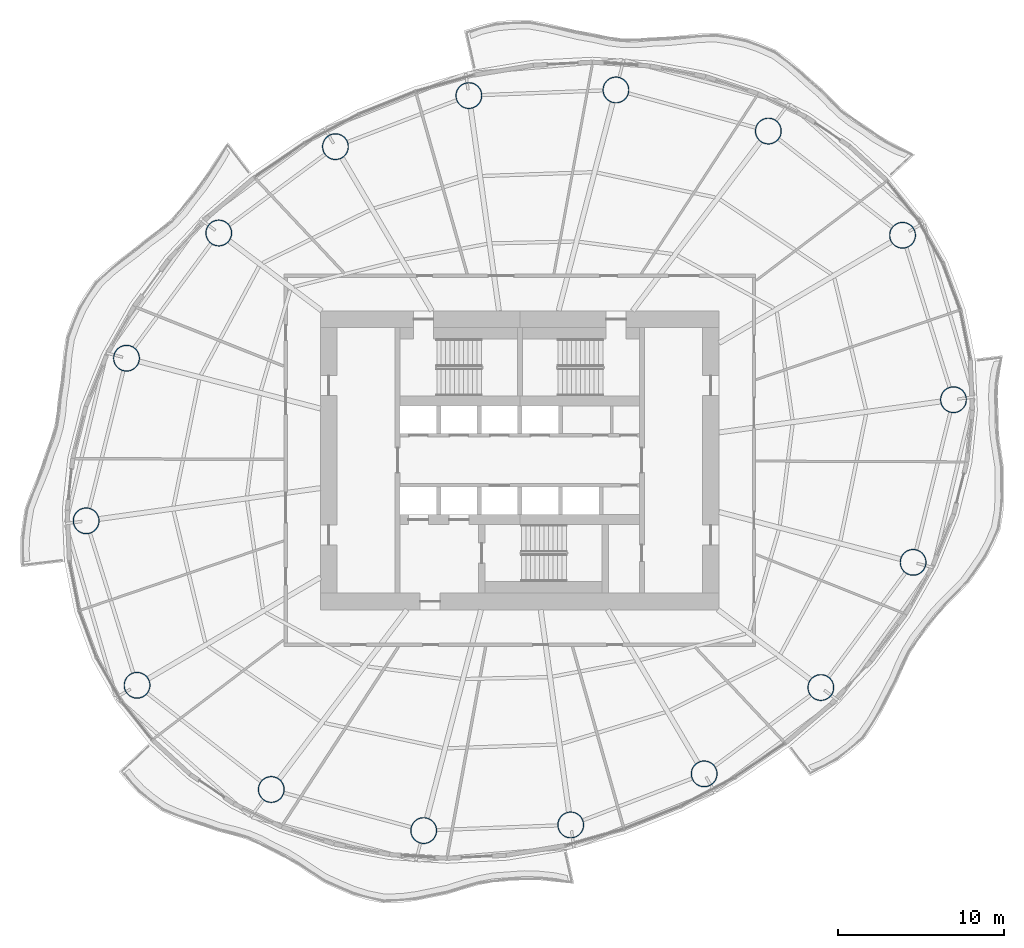
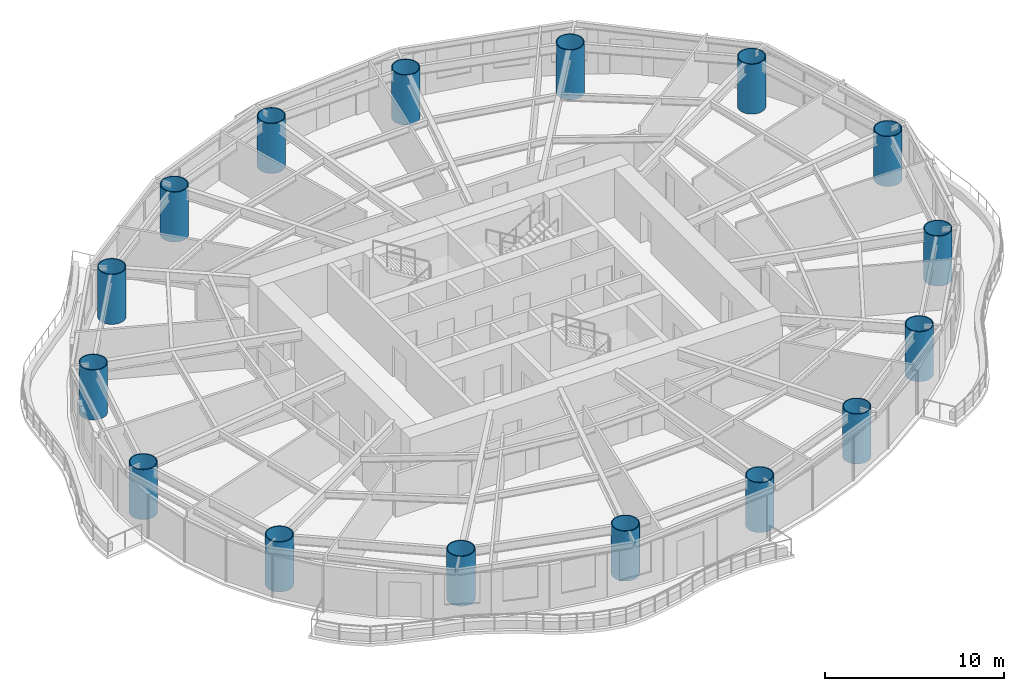
# One storey, part 1 of 14: 16 columns.
"""IFC4 building model written with IfcOpenShell, lengths in metres."""

from ifc_helpers import new_model, si_unit, direction, frame, origin, origin_2d, place, context, subcontext, project, spatial, hollow_circle, extrude, material, material_profile, profile_set, type_object, element, save


model = new_model("IFC4")

# Units and contexts
model_context = context("Model", 3, precision=1e-05, world=origin(), true_north=direction((0.0, 1.0)))
body_context = subcontext(model_context, "Body", "Model", "MODEL_VIEW")
ifc_project = project(units=[si_unit("LENGTHUNIT", "METRE"), si_unit("AREAUNIT", "SQUARE_METRE"), si_unit("VOLUMEUNIT", "CUBIC_METRE"), si_unit("PLANEANGLEUNIT", "RADIAN"), si_unit("MASSUNIT", "GRAM", prefix="KILO")], contexts=[model_context])

# Site, building, storey
site_placement = place(None, origin())
site = spatial("IfcSite", under=ifc_project, at=site_placement, CompositionType="ELEMENT")
building_placement = place(site_placement, origin())
building = spatial("IfcBuilding", under=site, at=building_placement, Name="Vermilion Reach Broadcast Tower", CompositionType="ELEMENT")
storey_placement = place(building_placement, frame((0.0, 0.0, 131.800048828125)))
storey = spatial("IfcBuildingStorey", under=building, at=storey_placement, Name="L31", CompositionType="ELEMENT", Elevation=131.800048828125)

# Columns
ifc_material = material(Name="Concrete C80 infill in steel S460NL tube", Category="concrete")
ifc_material_profile = material_profile(ifc_material, hollow_circle(Radius=0.800048828125, WallThickness=0.054931640625, at=origin_2d()), Name="Concrete C80 infill in steel S460NL tube CFT 1600x55")
ifc_profile_set = profile_set([ifc_material_profile], Name="Concrete C80 infill in steel S460NL tube")
column_type = type_object("IfcColumnType", Name="MC2 CFT 1600x55", PredefinedType="COLUMN", material=ifc_profile_set)
for number, where, z_axis, x_axis, name in (
    (1, (17.04345703125, 13.546630859375, 0.0), (0.0, 0.0, 1.0), (1.0, 0.0, 0.0), "Mega-column MC2-01"),
    (2, (8.96337890625, 19.821044921875, 0.0), (0.0, 0.0, 1.0), (1.0, 0.0, 0.0), "Mega-column MC2-02"),
    (3, (-0.21337890625, 22.29443359375, 0.0), (0.0, 0.0, 1.0), (1.0, 0.0, 0.0), "Mega-column MC2-03"),
    (4, (-9.066162109375, 21.955810546875, 0.0), (0.0, 0.0, 1.0), (1.0, 0.0, 0.0), "Mega-column MC2-04"),
    (5, (-17.099609375, 18.881103515625, 0.0), (0.0, 0.0, 1.0), (1.0, 0.0, 0.0), "Mega-column MC2-05"),
    (6, (-24.12451171875, 13.6826171875, 0.0), (0.0, 0.0, 1.0), (1.0, 0.0, 0.0), "Mega-column MC2-06"),
    (7, (-29.6787109375, 6.145751953125, 0.0), (0.0, 0.0, 1.0), (1.0, 0.0, 0.0), "Mega-column MC2-07"),
    (8, (-32.10888671875, -3.646240234375, 0.0), (0.0, 0.0, 1.0), (1.0, 0.0, 0.0), "Mega-column MC2-08"),
    (9, (-29.04345703125, -13.546630859375, 0.0), (0.0, 0.0, 1.0), (1.0, 0.0, 0.0), "Mega-column MC2-09"),
    (10, (-20.96337890625, -19.821044921875, 0.0), (0.0, 0.0, 1.0), (1.0, 0.0, 0.0), "Mega-column MC2-10"),
    (11, (-11.78662109375, -22.29443359375, 0.0), (0.0, 0.0, 1.0), (1.0, 0.0, 0.0), "Mega-column MC2-11"),
    (12, (-2.933837890625, -21.955810546875, 0.0), (0.0, 0.0, 1.0), (1.0, 0.0, 0.0), "Mega-column MC2-12"),
    (13, (5.099609375, -18.881103515625, 0.0), (0.0, 0.0, 1.0), (1.0, 0.0, 0.0), "Mega-column MC2-13"),
    (14, (12.12451171875, -13.6826171875, 0.0), (0.0, 0.0, 1.0), (1.0, 0.0, 0.0), "Mega-column MC2-14"),
    (15, (17.6787109375, -6.145751953125, 0.0), (0.0, 0.0, 1.0), (1.0, 0.0, 0.0), "Mega-column MC2-15"),
    (16, (20.10888671875, 3.646240234375, 0.0), (0.0, 0.0, 1.0), (1.0, 0.0, 0.0), "Mega-column MC2-16"),
):
    element("IfcColumn", number, at=place(storey_placement, frame(where, z_axis=z_axis, x_axis=x_axis)), inside=storey, type_object=column_type, Name=name, PredefinedType="COLUMN", context=body_context, shape_type="SweptSolid", body=[
        extrude(hollow_circle(Radius=0.800048828125, WallThickness=0.054931640625, at=origin_2d()), origin(), (0.0, 0.0, 1.0), 3.39990234375),
    ])

save(model, "model.ifc")
